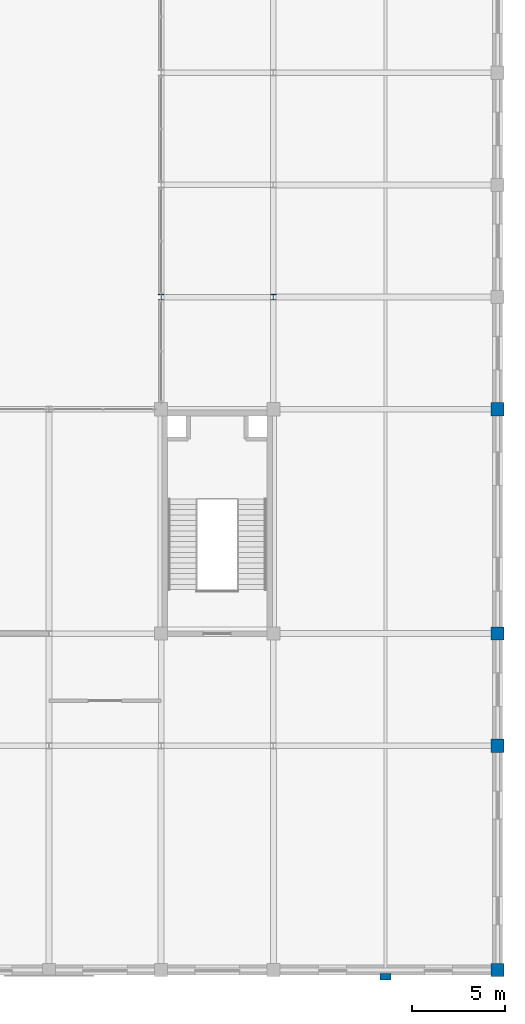
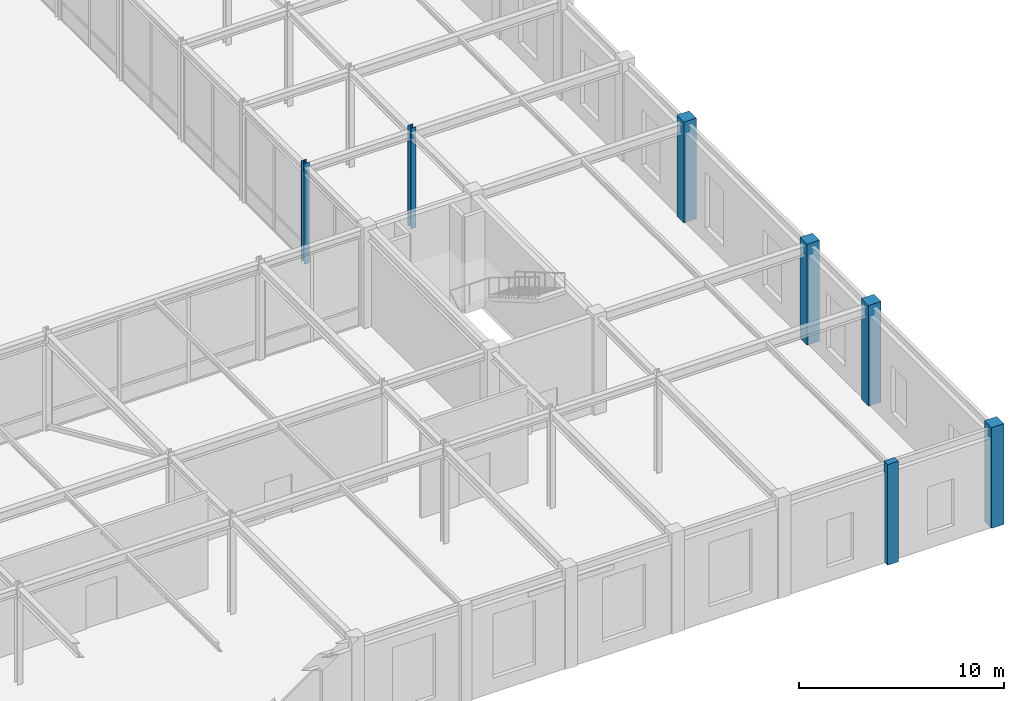
# One storey, part 22 of 108: 7 columns.
"""IFC4 building model written with IfcOpenShell, lengths in metres."""

from ifc_helpers import new_model, si_unit, direction, frame, origin, origin_2d, place, context, subcontext, project, spatial, rectangle, i_section, extrude, material, material_profile, profile_set, type_object, element, save


model = new_model("IFC4")

# Units and contexts
model_context = context("Model", 3, precision=1e-05, world=origin(), true_north=direction((0.0, 1.0)))
body_context = subcontext(model_context, "Body", "Model", "MODEL_VIEW")
ifc_project = project(units=[si_unit("LENGTHUNIT", "METRE"), si_unit("AREAUNIT", "SQUARE_METRE"), si_unit("VOLUMEUNIT", "CUBIC_METRE"), si_unit("PLANEANGLEUNIT", "RADIAN"), si_unit("MASSUNIT", "GRAM", prefix="KILO")], contexts=[model_context])

# Site, building, storey
site_placement = place(None, origin())
site = spatial("IfcSite", under=ifc_project, at=site_placement, CompositionType="ELEMENT")
building_placement = place(site_placement, origin())
building = spatial("IfcBuilding", under=site, at=building_placement, Name="Zlatovratsky Civic Hall", CompositionType="ELEMENT")
storey_placement = place(building_placement, frame((0.0, 0.0, 6.0)))
storey = spatial("IfcBuildingStorey", under=building, at=storey_placement, Name="L02", CompositionType="ELEMENT", Elevation=6.0)

# Columns
ifc_material_1 = material(Name="Concrete C35/45 (B40)", Category="concrete")
ifc_material_profile_1 = material_profile(ifc_material_1, rectangle(XDim=0.699951171875, YDim=0.699951171875, at=origin_2d()), Name="RC 700x700")
ifc_profile_set_1 = profile_set([ifc_material_profile_1], Name="Concrete C35/45 (B40)")
column_type_1 = type_object("IfcColumnType", Name="Col_CorePier_RC700", PredefinedType="COLUMN", material=ifc_profile_set_1)
for number, where, z_axis, x_axis, name in (
    (1, (168.0, 0.0, 0.0), (0.0, 0.0, 1.0), (1.0, 0.0, 0.0), "CL-0835"),
    (2, (168.0, 12.0, 0.0), (0.0, 0.0, 1.0), (1.0, 0.0, 0.0), "CL-0858"),
    (3, (168.0, 18.0, 0.0), (0.0, 0.0, 1.0), (1.0, 0.0, 0.0), "CL-0881"),
    (4, (168.0, 30.0, 0.0), (0.0, 0.0, 1.0), (1.0, 0.0, 0.0), "CL-0901"),
):
    element("IfcColumn", number, at=place(storey_placement, frame(where, z_axis=z_axis, x_axis=x_axis)), inside=storey, type_object=column_type_1, Name=name, PredefinedType="COLUMN", context=body_context, shape_type="SweptSolid", body=[
        extrude(rectangle(XDim=0.699951171875, YDim=0.699951171875, at=origin_2d()), origin(), (0.0, 0.0, 1.0), 6.0),
    ])
ifc_material_2 = material(Name="Steel S355", Category="steel")
ifc_material_profile_2 = material_profile(ifc_material_2, i_section(OverallWidth=0.300048828125, OverallDepth=0.300048828125, WebThickness=0.010009765625, FlangeThickness=0.014892578125, FilletRadius=0.01806640625, at=origin_2d()), Name="30K2")
ifc_profile_set_2 = profile_set([ifc_material_profile_2], Name="Steel S355")
column_type_2 = type_object("IfcColumnType", Name="Col_Steel_30K2", PredefinedType="COLUMN", material=ifc_profile_set_2)
for number, where, z_axis, x_axis, name in (
    (5, (150.0, 36.0, 0.0), (0.0, 0.0, 1.0), (1.0, 0.0, 0.0), "CL-0918"),
    (6, (156.0, 36.0, 0.0), (0.0, 0.0, 1.0), (1.0, 0.0, 0.0), "CL-0919"),
):
    element("IfcColumn", number, at=place(storey_placement, frame(where, z_axis=z_axis, x_axis=x_axis)), inside=storey, type_object=column_type_2, Name=name, PredefinedType="COLUMN", context=body_context, shape_type="SweptSolid", body=[
        extrude(i_section(OverallWidth=0.300048828125, OverallDepth=0.300048828125, WebThickness=0.010009765625, FlangeThickness=0.014892578125, FilletRadius=0.01806640625, at=origin_2d()), origin(), (0.0, 0.0, 1.0), 6.0),
    ])
ifc_material_profile_3 = material_profile(ifc_material_1, rectangle(XDim=0.60009765625, YDim=0.360107421875, at=origin_2d()), Name="RC 600x360")
ifc_profile_set_3 = profile_set([ifc_material_profile_3], Name="Concrete C35/45 (B40)")
column_type_3 = type_object("IfcColumnType", Name="Pilaster_Classical_RC600x360", PredefinedType="PILASTER", material=ifc_profile_set_3)
column_placement = place(storey_placement, frame((162.0, -0.35009765625, 0.0), z_axis=(0.0, 0.0, 1.0), x_axis=(1.0, 0.0, 0.0)))
element("IfcColumn", 7, at=column_placement, inside=storey, type_object=column_type_3, Name="CL-2734", PredefinedType="PILASTER", context=body_context, shape_type="SweptSolid", body=[
    extrude(rectangle(XDim=0.60009765625, YDim=0.360107421875, at=origin_2d()), origin(), (0.0, 0.0, 1.0), 6.0),
])

save(model, "model.ifc")
